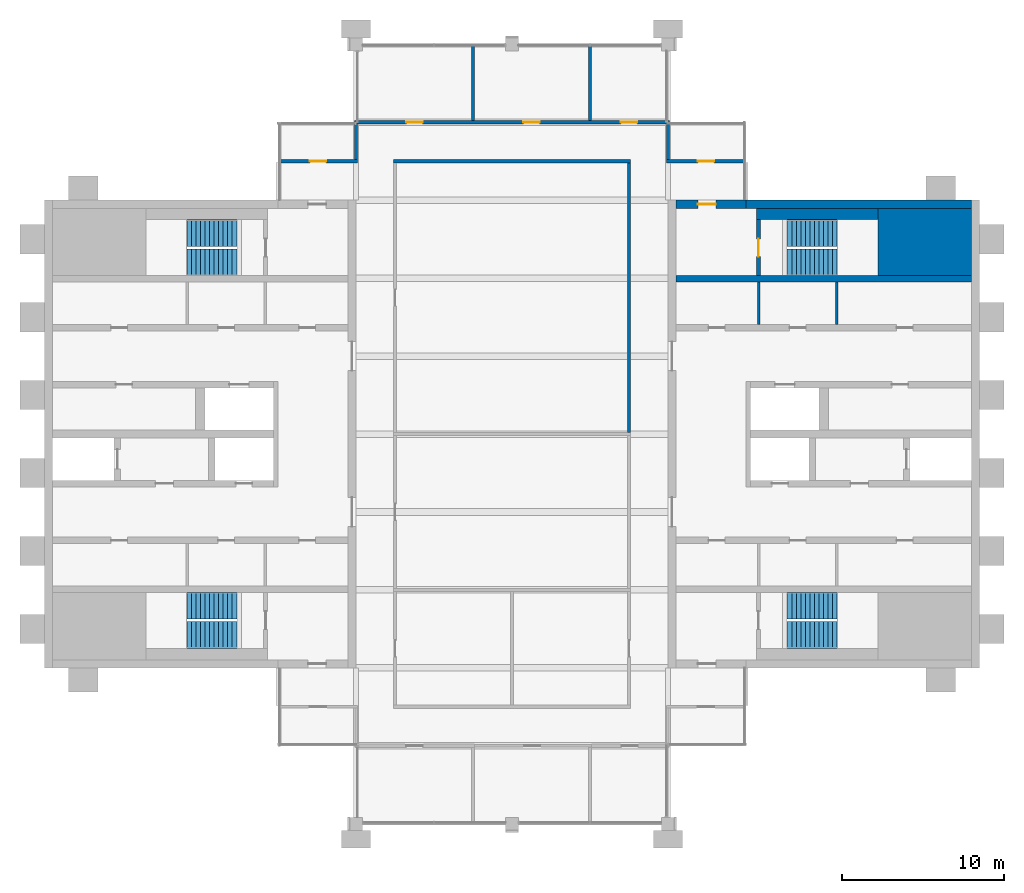
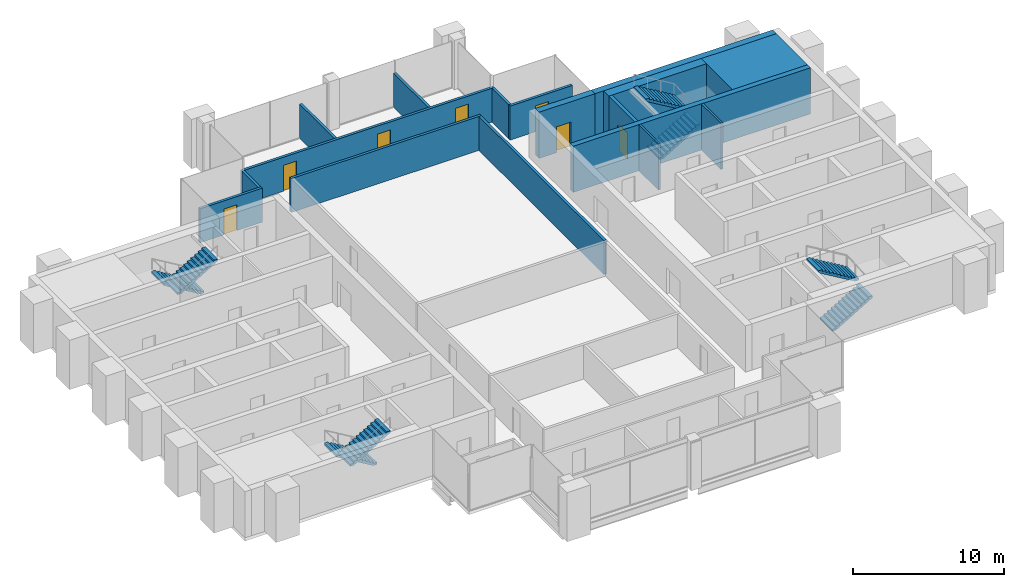
# One storey, part 10 of 11: 17 walls, 8 stair flights, 7 doors, 7 openings, 4 elements without a shape of their own.
"""IFC4 building model written with IfcOpenShell, lengths in metres."""

from ifc_helpers import new_model, si_unit, direction, frame, frame_2d, origin, place, context, subcontext, project, spatial, polyline, rectangle, outline, extrude, material, layer, layer_set, type_object, element, fill, aggregate, save


model = new_model("IFC4")

# Units and contexts
model_context = context("Model", 3, precision=1e-05, world=origin(), true_north=direction((0.0, 1.0)))
body_context = subcontext(model_context, "Body", "Model", "MODEL_VIEW")
ifc_project = project(units=[si_unit("LENGTHUNIT", "METRE"), si_unit("AREAUNIT", "SQUARE_METRE"), si_unit("VOLUMEUNIT", "CUBIC_METRE"), si_unit("PLANEANGLEUNIT", "RADIAN"), si_unit("MASSUNIT", "GRAM", prefix="KILO")], contexts=[model_context])

# Site, building, storey
site_placement = place(None, origin())
site = spatial("IfcSite", under=ifc_project, at=site_placement, CompositionType="ELEMENT")
building_placement = place(site_placement, origin())
building = spatial("IfcBuilding", under=site, at=building_placement, Name="Baori Bourse Tower", CompositionType="ELEMENT")
storey_placement = place(building_placement, frame((0.0, 0.0, 358.300048828125)))
storey = spatial("IfcBuildingStorey", under=building, at=storey_placement, Name="L80", CompositionType="ELEMENT", Elevation=358.300048828125)

# Walls
ifc_material_1 = material(Name="Concrete f'c 40 MPa", Category="concrete")
wall_type_1 = type_object("IfcWallType", Name="Core corner block f'c 40", PredefinedType="SHEAR", material=ifc_material_1)
wall_1_placement = place(storey_placement, frame((51.35009765625, 35.824951171875, 0.0), z_axis=(0.0, 0.0, 1.0), x_axis=(1.0, 0.0, 0.0)))
element("IfcWall", 1, at=wall_1_placement, inside=storey, type_object=wall_type_1, Name="Core wall E23", PredefinedType="SHEAR", context=body_context, shape_type="SweptSolid", body=[
    extrude(rectangle(XDim=5.75, YDim=4.14990234375, at=frame_2d((2.875, 0.0))), origin(), (0.0, 0.0, 1.0), 3.75),
])
ifc_material_2 = material(Name="Blockwork partition", Category="masonry")
ifc_layer_1 = layer(ifc_material_2, 0.14990234375)
ifc_layer_set_1 = layer_set([ifc_layer_1], Name="Core partition 150")
wall_type_2 = type_object("IfcWallType", Name="Core partition 150", PredefinedType="PARTITIONING", material=ifc_layer_set_1)
for number, where, z_axis, x_axis, name in (
    (2, (48.800048828125, 30.75, 0.0), (0.0, 0.0, 1.0), (0.0, 1.0, 0.0), "Partition wall E20"),
    (3, (44.0, 30.75, 0.0), (0.0, 0.0, 1.0), (0.0, 1.0, 0.0), "Partition wall E21"),
):
    element("IfcWall", number, at=place(storey_placement, frame(where, z_axis=z_axis, x_axis=x_axis)), inside=storey, type_object=wall_type_2, Name=name, PredefinedType="PARTITIONING", context=body_context, shape_type="SweptSolid", body=[
        extrude(rectangle(XDim=2.60009765625, YDim=0.14990234375, at=frame_2d((1.300048828125, 0.0))), origin(), (0.0, 0.0, 1.0), 3.75),
    ])
ifc_material_3 = material(Name="Concrete f'c 40 MPa", Category="concrete")
ifc_layer_2 = layer(ifc_material_3, 0.5)
ifc_layer_set_2 = layer_set([ifc_layer_2], Name="Core wall 500 f'c 40")
wall_type_3 = type_object("IfcWallType", Name="Core wall 500 f'c 40", PredefinedType="SHEAR", material=ifc_layer_set_2)
wall_2_placement = place(storey_placement, frame((43.199951171875, 38.14990234375, 0.0), z_axis=(0.0, 0.0, 1.0), x_axis=(1.0, 0.0, 0.0)))
element("IfcWall", 4, at=wall_2_placement, inside=storey, type_object=wall_type_3, Name="Core wall E26", PredefinedType="SHEAR", context=body_context, shape_type="SweptSolid", body=[
    extrude(rectangle(XDim=13.900146484375, YDim=0.5, at=frame_2d((6.9501953125, 0.0))), origin(), (0.0, 0.0, 1.0), 3.75),
])

# Wall, opening, door
wall_3_placement = place(storey_placement, frame((38.89990234375, 38.14990234375, 0.0), z_axis=(0.0, 0.0, 1.0), x_axis=(1.0, 0.0, 0.0)))
wall_3 = element("IfcWall", 5, at=wall_3_placement, inside=storey, type_object=wall_type_3, Name="Core wall E27", PredefinedType="SHEAR", context=body_context, shape_type="SweptSolid", body=[
    extrude(rectangle(XDim=4.300048828125, YDim=0.5, at=frame_2d((2.14990234375, 0.0))), origin(), (0.0, 0.0, 1.0), 3.75),
])
opening_1_placement = place(wall_3_placement, frame((1.35009765625, 0.0, 0.0)))
opening_1 = element("IfcOpeningElement", 6, at=opening_1_placement, cuts=wall_3, Name="Opening L80-D204", PredefinedType="OPENING", context=body_context, shape_type="SweptSolid", body=[
    extrude(rectangle(XDim=1.10009765625, YDim=2.10009765625, at=frame_2d((0.550048828125, 1.050048828125))), frame((0.0, 0.260009765625, 0.0), z_axis=(0.0, -1.0, 0.0), x_axis=(1.0, 0.0, 0.0)), (0.0, 0.0, 1.0), 0.52001953125),
])
ifc_material_4 = material(Name="Painted steel door", Category="steel")
door_type_1 = type_object("IfcDoorType", Name="Stair door 1100", OperationType="SINGLE_SWING_LEFT", PredefinedType="DOOR", material=ifc_material_4)
door_1_placement = place(opening_1_placement, origin())
door_1 = element("IfcDoor", 7, at=door_1_placement, inside=storey, type_object=door_type_1, Name="Stair vestibule door B E L80", OperationType="SINGLE_SWING_LEFT", OverallHeight=2.10009765625, OverallWidth=1.10009765625, PredefinedType="DOOR", context=body_context, shape_type="SweptSolid", body=[
    extrude(rectangle(XDim=1.10009765625, YDim=2.10009765625, at=frame_2d((0.550048828125, 1.050048828125))), frame((0.0, 0.02490234375, 0.0), z_axis=(0.0, -1.0, 0.0), x_axis=(1.0, 0.0, 0.0)), (0.0, 0.0, 1.0), 0.050048828125),
])
fill(opening_1, door_1)

ifc_material_5 = material(Name="Gypsum board partition")
ifc_layer_3 = layer(ifc_material_5, 0.199951171875)
ifc_layer_set_3 = layer_set([ifc_layer_3], Name="Plant room wall 200")
wall_type_4 = type_object("IfcWallType", Name="Plant room wall 200", PredefinedType="PARTITIONING", material=ifc_layer_set_3)
wall_4_placement = place(storey_placement, frame((14.5, 40.800048828125, 0.0), z_axis=(0.0, 0.0, 1.0), x_axis=(1.0, 0.0, 0.0)))
wall_4 = element("IfcWall", 8, at=wall_4_placement, inside=storey, type_object=wall_type_4, Name="Partition", PredefinedType="PARTITIONING", context=body_context, shape_type="SweptSolid", body=[
    extrude(rectangle(XDim=4.800048828125, YDim=0.199951171875, at=frame_2d((2.39990234375, 0.0))), origin(), (0.0, 0.0, 1.0), 2.75927734375),
])
opening_2_placement = place(wall_4_placement, frame((1.85009765625, 0.0, 0.0)))
opening_2 = element("IfcOpeningElement", 9, at=opening_2_placement, cuts=wall_4, Name="Opening L80-D06", PredefinedType="OPENING", context=body_context, shape_type="SweptSolid", body=[
    extrude(rectangle(XDim=1.0, YDim=2.10009765625, at=frame_2d((0.5, 1.050048828125))), frame((0.0, 0.10986328125, 0.0), z_axis=(0.0, -1.0, 0.0), x_axis=(1.0, 0.0, 0.0)), (0.0, 0.0, 1.0), 0.219970703125),
])
ifc_material_6 = material(Name="Timber door leaf", Category="wood")
door_type_2 = type_object("IfcDoorType", Name="Door 1000 x 2100", OperationType="SINGLE_SWING_LEFT", PredefinedType="DOOR", material=ifc_material_6)
door_2_placement = place(opening_2_placement, origin())
door_2 = element("IfcDoor", 10, at=door_2_placement, inside=storey, type_object=door_type_2, Name="Door", OperationType="SINGLE_SWING_RIGHT", OverallHeight=2.10009765625, OverallWidth=1.0, PredefinedType="DOOR", context=body_context, shape_type="SweptSolid", body=[
    extrude(rectangle(XDim=1.0, YDim=2.10009765625, at=frame_2d((0.5, 1.050048828125))), frame((0.0, 0.02490234375, 0.0), z_axis=(0.0, -1.0, 0.0), x_axis=(1.0, 0.0, 0.0)), (0.0, 0.0, 1.0), 0.050048828125),
])
fill(opening_2, door_2)

# Wall
wall_5_placement = place(storey_placement, frame((21.5, 40.800048828125, 0.0), z_axis=(0.0, 0.0, 1.0), x_axis=(1.0, 0.0, 0.0)))
element("IfcWall", 11, at=wall_5_placement, inside=storey, type_object=wall_type_4, Name="Partition", PredefinedType="PARTITIONING", context=body_context, shape_type="SweptSolid", body=[
    extrude(rectangle(XDim=14.60009765625, YDim=0.199951171875, at=frame_2d((7.300048828125, 0.0))), origin(), (0.0, 0.0, 1.0), 2.75927734375),
])

# Wall, opening, door
wall_6_placement = place(storey_placement, frame((38.300048828125, 40.800048828125, 0.0), z_axis=(0.0, 0.0, 1.0), x_axis=(1.0, 0.0, 0.0)))
wall_6 = element("IfcWall", 12, at=wall_6_placement, inside=storey, type_object=wall_type_4, Name="Partition", PredefinedType="PARTITIONING", context=body_context, shape_type="SweptSolid", body=[
    extrude(rectangle(XDim=4.800048828125, YDim=0.199951171875, at=frame_2d((2.39990234375, 0.0))), origin(), (0.0, 0.0, 1.0), 2.75927734375),
])
opening_3_placement = place(wall_6_placement, frame((1.949951171875, 0.0, 0.0)))
opening_3 = element("IfcOpeningElement", 13, at=opening_3_placement, cuts=wall_6, Name="Opening L80-D07", PredefinedType="OPENING", context=body_context, shape_type="SweptSolid", body=[
    extrude(rectangle(XDim=1.0, YDim=2.10009765625, at=frame_2d((0.5, 1.050048828125))), frame((0.0, 0.10986328125, 0.0), z_axis=(0.0, -1.0, 0.0), x_axis=(1.0, 0.0, 0.0)), (0.0, 0.0, 1.0), 0.219970703125),
])
door_3_placement = place(opening_3_placement, origin())
door_3 = element("IfcDoor", 14, at=door_3_placement, inside=storey, type_object=door_type_2, Name="Door", OperationType="SINGLE_SWING_LEFT", OverallHeight=2.10009765625, OverallWidth=1.0, PredefinedType="DOOR", context=body_context, shape_type="SweptSolid", body=[
    extrude(rectangle(XDim=1.0, YDim=2.10009765625, at=frame_2d((0.5, 1.050048828125))), frame((0.0, 0.02490234375, 0.0), z_axis=(0.0, -1.0, 0.0), x_axis=(1.0, 0.0, 0.0)), (0.0, 0.0, 1.0), 0.050048828125),
])
fill(opening_3, door_3)

# Wall, openings, doors
wall_7_placement = place(storey_placement, frame((19.10009765625, 43.199951171875, 0.0), z_axis=(0.0, 0.0, 1.0), x_axis=(1.0, 0.0, 0.0)))
wall_7 = element("IfcWall", 15, at=wall_7_placement, inside=storey, type_object=wall_type_4, Name="Partition", PredefinedType="PARTITIONING", context=body_context, shape_type="SweptSolid", body=[
    extrude(rectangle(XDim=19.39990234375, YDim=0.199951171875, at=frame_2d((9.699951171875, 0.0))), origin(), (0.0, 0.0, 1.0), 2.75927734375),
])
opening_4_placement = place(wall_7_placement, frame((3.199951171875, 0.0, 0.0)))
opening_4 = element("IfcOpeningElement", 16, at=opening_4_placement, cuts=wall_7, Name="Opening L80-D08", PredefinedType="OPENING", context=body_context, shape_type="SweptSolid", body=[
    extrude(rectangle(XDim=1.0, YDim=2.10009765625, at=frame_2d((0.5, 1.050048828125))), frame((0.0, 0.10986328125, 0.0), z_axis=(0.0, -1.0, 0.0), x_axis=(1.0, 0.0, 0.0)), (0.0, 0.0, 1.0), 0.219970703125),
])
opening_5_placement = place(wall_7_placement, frame((10.39990234375, 0.0, 0.0)))
opening_5 = element("IfcOpeningElement", 17, at=opening_5_placement, cuts=wall_7, Name="Opening L80-D09", PredefinedType="OPENING", context=body_context, shape_type="SweptSolid", body=[
    extrude(rectangle(XDim=1.0, YDim=2.10009765625, at=frame_2d((0.5, 1.050048828125))), frame((0.0, 0.10986328125, 0.0), z_axis=(0.0, -1.0, 0.0), x_axis=(1.0, 0.0, 0.0)), (0.0, 0.0, 1.0), 0.219970703125),
])
opening_6_placement = place(wall_7_placement, frame((16.39990234375, 0.0, 0.0)))
opening_6 = element("IfcOpeningElement", 18, at=opening_6_placement, cuts=wall_7, Name="Opening L80-D10", PredefinedType="OPENING", context=body_context, shape_type="SweptSolid", body=[
    extrude(rectangle(XDim=1.0, YDim=2.10009765625, at=frame_2d((0.5, 1.050048828125))), frame((0.0, 0.10986328125, 0.0), z_axis=(0.0, -1.0, 0.0), x_axis=(1.0, 0.0, 0.0)), (0.0, 0.0, 1.0), 0.219970703125),
])
door_4_placement = place(opening_4_placement, origin())
door_4 = element("IfcDoor", 19, at=door_4_placement, inside=storey, type_object=door_type_2, Name="Door", OperationType="SINGLE_SWING_RIGHT", OverallHeight=2.10009765625, OverallWidth=1.0, PredefinedType="DOOR", context=body_context, shape_type="SweptSolid", body=[
    extrude(rectangle(XDim=1.0, YDim=2.10009765625, at=frame_2d((0.5, 1.050048828125))), frame((0.0, 0.02490234375, 0.0), z_axis=(0.0, -1.0, 0.0), x_axis=(1.0, 0.0, 0.0)), (0.0, 0.0, 1.0), 0.050048828125),
])
fill(opening_4, door_4)
door_5_placement = place(opening_5_placement, origin())
door_5 = element("IfcDoor", 20, at=door_5_placement, inside=storey, type_object=door_type_2, Name="Door", OperationType="SINGLE_SWING_LEFT", OverallHeight=2.10009765625, OverallWidth=1.0, PredefinedType="DOOR", context=body_context, shape_type="SweptSolid", body=[
    extrude(rectangle(XDim=1.0, YDim=2.10009765625, at=frame_2d((0.5, 1.050048828125))), frame((0.0, 0.02490234375, 0.0), z_axis=(0.0, -1.0, 0.0), x_axis=(1.0, 0.0, 0.0)), (0.0, 0.0, 1.0), 0.050048828125),
])
fill(opening_5, door_5)
door_6_placement = place(opening_6_placement, origin())
door_6 = element("IfcDoor", 21, at=door_6_placement, inside=storey, type_object=door_type_2, Name="Door", OperationType="SINGLE_SWING_LEFT", OverallHeight=2.10009765625, OverallWidth=1.0, PredefinedType="DOOR", context=body_context, shape_type="SweptSolid", body=[
    extrude(rectangle(XDim=1.0, YDim=2.10009765625, at=frame_2d((0.5, 1.050048828125))), frame((0.0, 0.02490234375, 0.0), z_axis=(0.0, -1.0, 0.0), x_axis=(1.0, 0.0, 0.0)), (0.0, 0.0, 1.0), 0.050048828125),
])
fill(opening_6, door_6)

# Walls
wall_8_placement = place(storey_placement, frame((19.199951171875, 40.89990234375, 0.0), z_axis=(0.0, 0.0, 1.0), x_axis=(0.0, 1.0, 0.0)))
element("IfcWall", 22, at=wall_8_placement, inside=storey, type_object=wall_type_4, Name="Partition", PredefinedType="PARTITIONING", context=body_context, shape_type="SweptSolid", body=[
    extrude(rectangle(XDim=2.2001953125, YDim=0.199951171875, at=frame_2d((1.10009765625, 0.0))), origin(), (0.0, 0.0, 1.0), 2.75927734375),
])
for number, where, z_axis, x_axis, name in (
    (23, (26.39990234375, 43.300048828125, 0.0), (0.0, 0.0, 1.0), (0.0, 1.0, 0.0), "Partition"),
    (24, (33.60009765625, 43.300048828125, 0.0), (0.0, 0.0, 1.0), (0.0, 1.0, 0.0), "Partition"),
):
    element("IfcWall", number, at=place(storey_placement, frame(where, z_axis=z_axis, x_axis=x_axis)), inside=storey, type_object=wall_type_4, Name=name, PredefinedType="PARTITIONING", context=body_context, shape_type="SweptSolid", body=[
        extrude(rectangle(XDim=4.599853515625, YDim=0.199951171875, at=frame_2d((2.2998046875, 0.0))), origin(), (0.0, 0.0, 1.0), 2.75927734375),
    ])
wall_9_placement = place(storey_placement, frame((36.0, 24.10009765625, 0.0), z_axis=(0.0, 0.0, 1.0), x_axis=(0.0, 1.0, 0.0)))
element("IfcWall", 25, at=wall_9_placement, inside=storey, type_object=wall_type_4, Name="Partition", PredefinedType="PARTITIONING", context=body_context, shape_type="SweptSolid", body=[
    extrude(rectangle(XDim=16.599853515625, YDim=0.199951171875, at=frame_2d((8.2998046875, 0.0))), origin(), (0.0, 0.0, 1.0), 2.75927734375),
])
wall_10_placement = place(storey_placement, frame((38.39990234375, 40.89990234375, 0.0), z_axis=(0.0, 0.0, 1.0), x_axis=(0.0, 1.0, 0.0)))
element("IfcWall", 26, at=wall_10_placement, inside=storey, type_object=wall_type_4, Name="Partition", PredefinedType="PARTITIONING", context=body_context, shape_type="SweptSolid", body=[
    extrude(rectangle(XDim=2.2001953125, YDim=0.199951171875, at=frame_2d((1.10009765625, 0.0))), origin(), (0.0, 0.0, 1.0), 2.75927734375),
])

# Wall, opening, door
ifc_material_7 = material(Name="Concrete f'c 40 MPa", Category="concrete")
ifc_layer_4 = layer(ifc_material_7, 0.25)
ifc_layer_set_4 = layer_set([ifc_layer_4], Name="Shaft wall 250 f'c 40")
wall_type_5 = type_object("IfcWallType", Name="Shaft wall 250 f'c 40", PredefinedType="SHEAR", material=ifc_layer_set_4)
wall_11_placement = place(storey_placement, frame((43.97509765625, 33.75, 0.0), z_axis=(0.0, 0.0, 1.0), x_axis=(0.0, 1.0, 0.0)))
wall_11 = element("IfcWall", 27, at=wall_11_placement, inside=storey, type_object=wall_type_5, Name="Core wall E24", PredefinedType="SHEAR", context=body_context, shape_type="SweptSolid", body=[
    extrude(rectangle(XDim=3.449951171875, YDim=0.25, at=frame_2d((1.72509765625, 0.0))), origin(), (0.0, 0.0, 1.0), 3.75),
])
opening_7_placement = place(wall_11_placement, frame((1.175048828125, 0.0, 0.0)))
opening_7 = element("IfcOpeningElement", 28, at=opening_7_placement, cuts=wall_11, Name="Opening L80-D203", PredefinedType="OPENING", context=body_context, shape_type="SweptSolid", body=[
    extrude(rectangle(XDim=1.10009765625, YDim=2.10009765625, at=frame_2d((0.550048828125, 1.050048828125))), frame((0.0, 0.135009765625, 0.0), z_axis=(0.0, -1.0, 0.0), x_axis=(1.0, 0.0, 0.0)), (0.0, 0.0, 1.0), 0.27001953125),
])
door_7_placement = place(opening_7_placement, origin())
door_7 = element("IfcDoor", 29, at=door_7_placement, inside=storey, type_object=door_type_1, Name="Stair door B E L80", OperationType="SINGLE_SWING_LEFT", OverallHeight=2.10009765625, OverallWidth=1.10009765625, PredefinedType="DOOR", context=body_context, shape_type="SweptSolid", body=[
    extrude(rectangle(XDim=1.10009765625, YDim=2.10009765625, at=frame_2d((0.550048828125, 1.050048828125))), frame((0.0, 0.02490234375, 0.0), z_axis=(0.0, -1.0, 0.0), x_axis=(1.0, 0.0, 0.0)), (0.0, 0.0, 1.0), 0.050048828125),
])
fill(opening_7, door_7)

# Walls
ifc_material_8 = material(Name="Concrete f'c 40 MPa", Category="concrete")
ifc_layer_5 = layer(ifc_material_8, 0.39990234375)
ifc_layer_set_5 = layer_set([ifc_layer_5], Name="Shaft wall 400 f'c 40")
wall_type_6 = type_object("IfcWallType", Name="Shaft wall 400 f'c 40", PredefinedType="SHEAR", material=ifc_layer_set_5)
wall_12_placement = place(storey_placement, frame((38.89990234375, 33.550048828125, 0.0), z_axis=(0.0, 0.0, 1.0), x_axis=(1.0, 0.0, 0.0)))
element("IfcWall", 30, at=wall_12_placement, inside=storey, type_object=wall_type_6, Name="Core wall E22", PredefinedType="SHEAR", context=body_context, shape_type="SweptSolid", body=[
    extrude(rectangle(XDim=18.2001953125, YDim=0.39990234375, at=frame_2d((9.10009765625, 0.0))), origin(), (0.0, 0.0, 1.0), 3.75),
])
ifc_material_9 = material(Name="Concrete f'c 40 MPa", Category="concrete")
ifc_layer_6 = layer(ifc_material_9, 0.699951171875)
ifc_layer_set_6 = layer_set([ifc_layer_6], Name="Shaft wall 700 f'c 40")
wall_type_7 = type_object("IfcWallType", Name="Shaft wall 700 f'c 40", PredefinedType="SHEAR", material=ifc_layer_set_6)
wall_13_placement = place(storey_placement, frame((43.85009765625, 37.550048828125, 0.0), z_axis=(0.0, 0.0, 1.0), x_axis=(1.0, 0.0, 0.0)))
element("IfcWall", 31, at=wall_13_placement, inside=storey, type_object=wall_type_7, Name="Core wall E25", PredefinedType="SHEAR", context=body_context, shape_type="SweptSolid", body=[
    extrude(rectangle(XDim=7.5, YDim=0.699951171875, at=frame_2d((3.75, 0.0))), origin(), (0.0, 0.0, 1.0), 3.75),
])

# Stair, stair flights
ifc_material_10 = material(Name="Concrete f'c 50 MPa", Category="concrete")
stair_type = type_object("IfcStairType", Name="Core stair", PredefinedType="HALF_TURN_STAIR", material=ifc_material_10)
stair_1_placement = place(storey_placement, origin())
stair_1 = element("IfcStair", 32, at=stair_1_placement, inside=storey, type_object=stair_type, Name="L80 Stair WA", PredefinedType="HALF_TURN_STAIR")
ifc_material_11 = material(Name="Concrete f'c 50 MPa", Category="concrete")
stair_flight_type = type_object("IfcStairFlightType", Name="Core stair flight", PredefinedType="STRAIGHT", material=ifc_material_11)
stair_flight_1_placement = place(storey_placement, frame((11.85009765625, 13.425048828125, 0.0), z_axis=(0.0, 0.0, 1.0), x_axis=(-1.0, 0.0, 0.0)))
stair_flight_1 = element("IfcStairFlight", 33, at=stair_flight_1_placement, type_object=stair_flight_type, Name="ST1 flight 1", NumberOfRisers=12, NumberOfTreads=11, PredefinedType="STRAIGHT", RiserHeight=0.166666667, TreadLength=0.28, context=body_context, shape_type="SweptSolid", body=[
    extrude(outline(polyline([(0.0, 0.0), (0.0, 0.166748046875), (0.280029296875, 0.166748046875), (0.280029296875, 0.333251953125), (0.56005859375, 0.333251953125), (0.56005859375, 0.5), (0.840087890625, 0.5), (0.840087890625, 0.666748046875), (1.1201171875, 0.666748046875), (1.1201171875, 0.833251953125), (1.39990234375, 0.833251953125), (1.39990234375, 1.0), (1.679931640625, 1.0), (1.679931640625, 1.166748046875), (1.9599609375, 1.166748046875), (1.9599609375, 1.333251953125), (2.239990234375, 1.333251953125), (2.239990234375, 1.5), (2.52001953125, 1.5), (2.52001953125, 1.666748046875), (2.800048828125, 1.666748046875), (2.800048828125, 1.833251953125), (3.080078125, 1.833251953125), (3.080078125, 2.0), (3.080078125, 1.658935546875), (0.29296875, 0.0), (0.0, 0.0)])), frame((0.0, 0.824951171875, 0.0), z_axis=(0.0, -1.0, 0.0), x_axis=(1.0, 0.0, 0.0)), (0.0, 0.0, 1.0), 1.64990234375),
])
stair_flight_2_placement = place(storey_placement, frame((8.77001953125, 11.625, 2.0), z_axis=(0.0, 0.0, 1.0), x_axis=(1.0, 0.0, 0.0)))
stair_flight_2 = element("IfcStairFlight", 34, at=stair_flight_2_placement, type_object=stair_flight_type, Name="ST1 flight 2", NumberOfRisers=12, NumberOfTreads=11, PredefinedType="STRAIGHT", RiserHeight=0.166666667, TreadLength=0.28, context=body_context, shape_type="SweptSolid", body=[
    extrude(outline(polyline([(0.0, 0.0), (0.0, 0.166748046875), (0.280029296875, 0.166748046875), (0.280029296875, 0.333251953125), (0.56005859375, 0.333251953125), (0.56005859375, 0.5), (0.840087890625, 0.5), (0.840087890625, 0.666748046875), (1.1201171875, 0.666748046875), (1.1201171875, 0.833251953125), (1.39990234375, 0.833251953125), (1.39990234375, 1.0), (1.679931640625, 1.0), (1.679931640625, 1.166748046875), (1.9599609375, 1.166748046875), (1.9599609375, 1.333251953125), (2.239990234375, 1.333251953125), (2.239990234375, 1.5), (2.52001953125, 1.5), (2.52001953125, 1.666748046875), (2.800048828125, 1.666748046875), (2.800048828125, 1.833251953125), (3.080078125, 1.833251953125), (3.080078125, 2.0), (3.080078125, 1.658935546875), (0.29296875, 0.0), (0.0, 0.0)])), frame((0.0, 0.824951171875, 0.0), z_axis=(0.0, -1.0, 0.0), x_axis=(1.0, 0.0, 0.0)), (0.0, 0.0, 1.0), 1.64990234375),
])
aggregate(stair_1, [stair_flight_1, stair_flight_2])

stair_2_placement = place(storey_placement, origin())
stair_2 = element("IfcStair", 35, at=stair_2_placement, inside=storey, type_object=stair_type, Name="L80 Stair WB", PredefinedType="HALF_TURN_STAIR")
stair_flight_3_placement = place(storey_placement, frame((11.85009765625, 36.375, 0.0), z_axis=(0.0, 0.0, 1.0), x_axis=(-1.0, 0.0, 0.0)))
stair_flight_3 = element("IfcStairFlight", 36, at=stair_flight_3_placement, type_object=stair_flight_type, Name="ST2 flight 1", NumberOfRisers=12, NumberOfTreads=11, PredefinedType="STRAIGHT", RiserHeight=0.166666667, TreadLength=0.28, context=body_context, shape_type="SweptSolid", body=[
    extrude(outline(polyline([(0.0, 0.0), (0.0, 0.166748046875), (0.280029296875, 0.166748046875), (0.280029296875, 0.333251953125), (0.56005859375, 0.333251953125), (0.56005859375, 0.5), (0.840087890625, 0.5), (0.840087890625, 0.666748046875), (1.1201171875, 0.666748046875), (1.1201171875, 0.833251953125), (1.39990234375, 0.833251953125), (1.39990234375, 1.0), (1.679931640625, 1.0), (1.679931640625, 1.166748046875), (1.9599609375, 1.166748046875), (1.9599609375, 1.333251953125), (2.239990234375, 1.333251953125), (2.239990234375, 1.5), (2.52001953125, 1.5), (2.52001953125, 1.666748046875), (2.800048828125, 1.666748046875), (2.800048828125, 1.833251953125), (3.080078125, 1.833251953125), (3.080078125, 2.0), (3.080078125, 1.658935546875), (0.29296875, 0.0), (0.0, 0.0)])), frame((0.0, 0.824951171875, 0.0), z_axis=(0.0, -1.0, 0.0), x_axis=(1.0, 0.0, 0.0)), (0.0, 0.0, 1.0), 1.64990234375),
])
stair_flight_4_placement = place(storey_placement, frame((8.77001953125, 34.574951171875, 2.0), z_axis=(0.0, 0.0, 1.0), x_axis=(1.0, 0.0, 0.0)))
stair_flight_4 = element("IfcStairFlight", 37, at=stair_flight_4_placement, type_object=stair_flight_type, Name="ST2 flight 2", NumberOfRisers=12, NumberOfTreads=11, PredefinedType="STRAIGHT", RiserHeight=0.166666667, TreadLength=0.28, context=body_context, shape_type="SweptSolid", body=[
    extrude(outline(polyline([(0.0, 0.0), (0.0, 0.166748046875), (0.280029296875, 0.166748046875), (0.280029296875, 0.333251953125), (0.56005859375, 0.333251953125), (0.56005859375, 0.5), (0.840087890625, 0.5), (0.840087890625, 0.666748046875), (1.1201171875, 0.666748046875), (1.1201171875, 0.833251953125), (1.39990234375, 0.833251953125), (1.39990234375, 1.0), (1.679931640625, 1.0), (1.679931640625, 1.166748046875), (1.9599609375, 1.166748046875), (1.9599609375, 1.333251953125), (2.239990234375, 1.333251953125), (2.239990234375, 1.5), (2.52001953125, 1.5), (2.52001953125, 1.666748046875), (2.800048828125, 1.666748046875), (2.800048828125, 1.833251953125), (3.080078125, 1.833251953125), (3.080078125, 2.0), (3.080078125, 1.658935546875), (0.29296875, 0.0), (0.0, 0.0)])), frame((0.0, 0.824951171875, 0.0), z_axis=(0.0, -1.0, 0.0), x_axis=(1.0, 0.0, 0.0)), (0.0, 0.0, 1.0), 1.64990234375),
])
aggregate(stair_2, [stair_flight_3, stair_flight_4])

stair_3_placement = place(storey_placement, origin())
stair_3 = element("IfcStair", 38, at=stair_3_placement, inside=storey, type_object=stair_type, Name="L80 Stair EA", PredefinedType="HALF_TURN_STAIR")
stair_flight_5_placement = place(storey_placement, frame((45.75, 11.625, 0.0), z_axis=(0.0, 0.0, 1.0), x_axis=(1.0, 0.0, 0.0)))
stair_flight_5 = element("IfcStairFlight", 39, at=stair_flight_5_placement, type_object=stair_flight_type, Name="ST3 flight 1", NumberOfRisers=12, NumberOfTreads=11, PredefinedType="STRAIGHT", RiserHeight=0.166666667, TreadLength=0.28, context=body_context, shape_type="SweptSolid", body=[
    extrude(outline(polyline([(0.0, 0.0), (0.0, 0.166748046875), (0.280029296875, 0.166748046875), (0.280029296875, 0.333251953125), (0.56005859375, 0.333251953125), (0.56005859375, 0.5), (0.840087890625, 0.5), (0.840087890625, 0.666748046875), (1.1201171875, 0.666748046875), (1.1201171875, 0.833251953125), (1.39990234375, 0.833251953125), (1.39990234375, 1.0), (1.679931640625, 1.0), (1.679931640625, 1.166748046875), (1.9599609375, 1.166748046875), (1.9599609375, 1.333251953125), (2.239990234375, 1.333251953125), (2.239990234375, 1.5), (2.52001953125, 1.5), (2.52001953125, 1.666748046875), (2.800048828125, 1.666748046875), (2.800048828125, 1.833251953125), (3.080078125, 1.833251953125), (3.080078125, 2.0), (3.080078125, 1.658935546875), (0.29296875, 0.0), (0.0, 0.0)])), frame((0.0, 0.824951171875, 0.0), z_axis=(0.0, -1.0, 0.0), x_axis=(1.0, 0.0, 0.0)), (0.0, 0.0, 1.0), 1.64990234375),
])
stair_flight_6_placement = place(storey_placement, frame((48.830078125, 13.425048828125, 2.0), z_axis=(0.0, 0.0, 1.0), x_axis=(-1.0, 0.0, 0.0)))
stair_flight_6 = element("IfcStairFlight", 40, at=stair_flight_6_placement, type_object=stair_flight_type, Name="ST3 flight 2", NumberOfRisers=12, NumberOfTreads=11, PredefinedType="STRAIGHT", RiserHeight=0.166666667, TreadLength=0.28, context=body_context, shape_type="SweptSolid", body=[
    extrude(outline(polyline([(0.0, 0.0), (0.0, 0.166748046875), (0.280029296875, 0.166748046875), (0.280029296875, 0.333251953125), (0.56005859375, 0.333251953125), (0.56005859375, 0.5), (0.840087890625, 0.5), (0.840087890625, 0.666748046875), (1.1201171875, 0.666748046875), (1.1201171875, 0.833251953125), (1.39990234375, 0.833251953125), (1.39990234375, 1.0), (1.679931640625, 1.0), (1.679931640625, 1.166748046875), (1.9599609375, 1.166748046875), (1.9599609375, 1.333251953125), (2.239990234375, 1.333251953125), (2.239990234375, 1.5), (2.52001953125, 1.5), (2.52001953125, 1.666748046875), (2.800048828125, 1.666748046875), (2.800048828125, 1.833251953125), (3.080078125, 1.833251953125), (3.080078125, 2.0), (3.080078125, 1.658935546875), (0.29296875, 0.0), (0.0, 0.0)])), frame((0.0, 0.824951171875, 0.0), z_axis=(0.0, -1.0, 0.0), x_axis=(1.0, 0.0, 0.0)), (0.0, 0.0, 1.0), 1.64990234375),
])
aggregate(stair_3, [stair_flight_5, stair_flight_6])

stair_4_placement = place(storey_placement, origin())
stair_4 = element("IfcStair", 41, at=stair_4_placement, inside=storey, type_object=stair_type, Name="L80 Stair EB", PredefinedType="HALF_TURN_STAIR")
stair_flight_7_placement = place(storey_placement, frame((45.75, 34.574951171875, 0.0), z_axis=(0.0, 0.0, 1.0), x_axis=(1.0, 0.0, 0.0)))
stair_flight_7 = element("IfcStairFlight", 42, at=stair_flight_7_placement, type_object=stair_flight_type, Name="ST4 flight 1", NumberOfRisers=12, NumberOfTreads=11, PredefinedType="STRAIGHT", RiserHeight=0.166666667, TreadLength=0.28, context=body_context, shape_type="SweptSolid", body=[
    extrude(outline(polyline([(0.0, 0.0), (0.0, 0.166748046875), (0.280029296875, 0.166748046875), (0.280029296875, 0.333251953125), (0.56005859375, 0.333251953125), (0.56005859375, 0.5), (0.840087890625, 0.5), (0.840087890625, 0.666748046875), (1.1201171875, 0.666748046875), (1.1201171875, 0.833251953125), (1.39990234375, 0.833251953125), (1.39990234375, 1.0), (1.679931640625, 1.0), (1.679931640625, 1.166748046875), (1.9599609375, 1.166748046875), (1.9599609375, 1.333251953125), (2.239990234375, 1.333251953125), (2.239990234375, 1.5), (2.52001953125, 1.5), (2.52001953125, 1.666748046875), (2.800048828125, 1.666748046875), (2.800048828125, 1.833251953125), (3.080078125, 1.833251953125), (3.080078125, 2.0), (3.080078125, 1.658935546875), (0.29296875, 0.0), (0.0, 0.0)])), frame((0.0, 0.824951171875, 0.0), z_axis=(0.0, -1.0, 0.0), x_axis=(1.0, 0.0, 0.0)), (0.0, 0.0, 1.0), 1.64990234375),
])
stair_flight_8_placement = place(storey_placement, frame((48.830078125, 36.375, 2.0), z_axis=(0.0, 0.0, 1.0), x_axis=(-1.0, 0.0, 0.0)))
stair_flight_8 = element("IfcStairFlight", 43, at=stair_flight_8_placement, type_object=stair_flight_type, Name="ST4 flight 2", NumberOfRisers=12, NumberOfTreads=11, PredefinedType="STRAIGHT", RiserHeight=0.166666667, TreadLength=0.28, context=body_context, shape_type="SweptSolid", body=[
    extrude(outline(polyline([(0.0, 0.0), (0.0, 0.166748046875), (0.280029296875, 0.166748046875), (0.280029296875, 0.333251953125), (0.56005859375, 0.333251953125), (0.56005859375, 0.5), (0.840087890625, 0.5), (0.840087890625, 0.666748046875), (1.1201171875, 0.666748046875), (1.1201171875, 0.833251953125), (1.39990234375, 0.833251953125), (1.39990234375, 1.0), (1.679931640625, 1.0), (1.679931640625, 1.166748046875), (1.9599609375, 1.166748046875), (1.9599609375, 1.333251953125), (2.239990234375, 1.333251953125), (2.239990234375, 1.5), (2.52001953125, 1.5), (2.52001953125, 1.666748046875), (2.800048828125, 1.666748046875), (2.800048828125, 1.833251953125), (3.080078125, 1.833251953125), (3.080078125, 2.0), (3.080078125, 1.658935546875), (0.29296875, 0.0), (0.0, 0.0)])), frame((0.0, 0.824951171875, 0.0), z_axis=(0.0, -1.0, 0.0), x_axis=(1.0, 0.0, 0.0)), (0.0, 0.0, 1.0), 1.64990234375),
])
aggregate(stair_4, [stair_flight_7, stair_flight_8])

save(model, "model.ifc")
